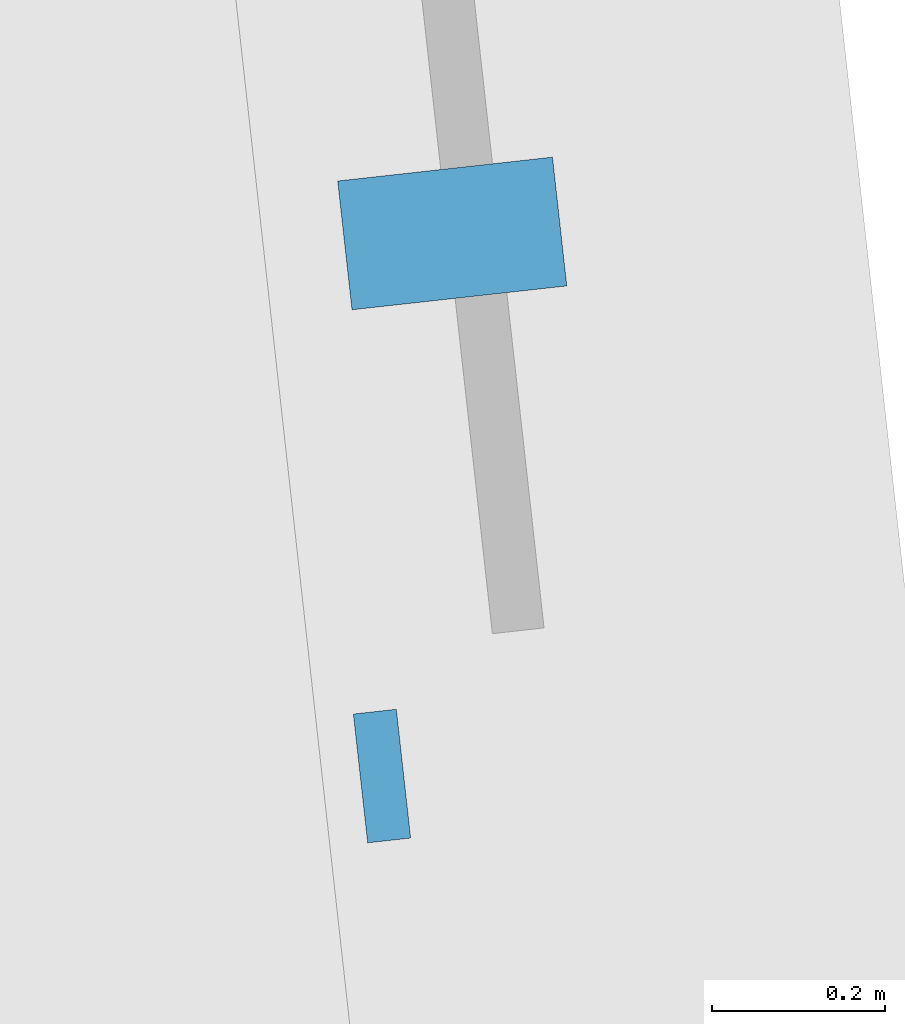
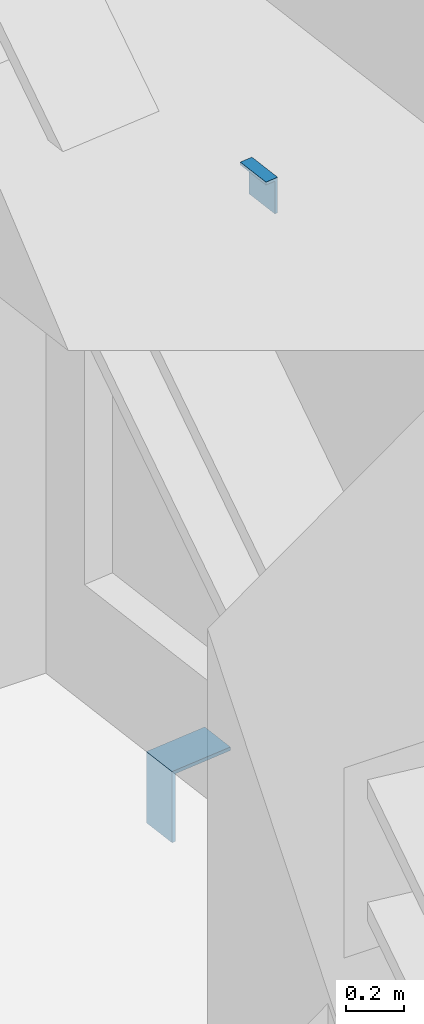
# One storey, part 13 of 16: 2 discrete accessories.
"""IFC4 building model written with IfcOpenShell, lengths in metres."""

from ifc_helpers import new_model, si_unit, direction, frame, origin, place, context, subcontext, project, spatial, polyline, outline, extrude, source, transform, mapped, material, layer, layer_set, type_object, element, save


model = new_model("IFC4")

# Units and contexts
model_context = context("Model", 3, precision=1e-05, world=origin(), true_north=direction((0.0, 1.0)))
body_context = subcontext(model_context, "Body", "Model", "MODEL_VIEW")
ifc_project = project(units=[si_unit("LENGTHUNIT", "METRE"), si_unit("AREAUNIT", "SQUARE_METRE"), si_unit("VOLUMEUNIT", "CUBIC_METRE"), si_unit("PLANEANGLEUNIT", "RADIAN"), si_unit("MASSUNIT", "GRAM", prefix="KILO")], contexts=[model_context])

# Site, building, storey
site_placement = place(None, origin())
site = spatial("IfcSite", under=ifc_project, at=site_placement, CompositionType="ELEMENT")
building_placement = place(site_placement, origin())
building = spatial("IfcBuilding", under=site, at=building_placement, Name="Kilele Tower Hotel", CompositionType="ELEMENT")
storey_placement = place(building_placement, frame((0.0, 0.0, 85.699951171875)))
storey = spatial("IfcBuildingStorey", under=building, at=storey_placement, Name="L21", CompositionType="ELEMENT", Elevation=85.699951171875)

# Discrete accessories
ifc_material_1 = material(Name="Hot-dip galvanized steel S355", Category="steel")
ifc_layer_1 = layer(ifc_material_1, 0.014892578125)
ifc_layer_set_1 = layer_set([ifc_layer_1], Name="Hot-dip galvanized steel S355")
discrete_accessory_type_1 = type_object("IfcDiscreteAccessoryType", Name="Facade panel bearing bracket 250x150x15", PredefinedType="BRACKET", material=ifc_layer_set_1)
shared_shape_1 = source(origin(), body_context, "Body", "SweptSolid", [
    extrude(outline(polyline([(0.0, 0.0), (0.25, 0.0), (0.25, -0.014892578125), (0.014892578125, -0.014892578125), (0.014892578125, -0.300048828125), (0.0, -0.300048828125), (0.0, 0.0)])), origin(), (0.0, 0.0, 1.0), 0.14990234375),
])
discrete_accessory_1_placement = place(storey_placement, frame((46.471923828125, 29.96875, 0.0), z_axis=(0.110432, -0.993884, 0.0), x_axis=(0.993884, 0.110432, 0.0)))
element("IfcDiscreteAccessory", 1, at=discrete_accessory_1_placement, inside=storey, type_object=discrete_accessory_type_1, Name="Facade panel bearing bracket L21", PredefinedType="BRACKET", context=body_context, shape_type="MappedRepresentation", body=[
    mapped(shared_shape_1, transform((0.0, 0.0, 0.0))),
])
ifc_material_2 = material(Name="Hot-dip galvanized steel S355", Category="steel")
ifc_layer_2 = layer(ifc_material_2, 0.011962890625)
ifc_layer_set_2 = layer_set([ifc_layer_2], Name="Hot-dip galvanized steel S355")
discrete_accessory_type_2 = type_object("IfcDiscreteAccessoryType", Name="Facade panel restraint bracket 150x50x12", PredefinedType="BRACKET", material=ifc_layer_set_2)
shared_shape_2 = source(origin(), body_context, "Body", "SweptSolid", [
    extrude(outline(polyline([(0.0, 0.0), (0.0, -0.14990234375), (-0.011962890625, -0.14990234375), (-0.011962890625, -0.011962890625), (-0.050048828125, -0.011962890625), (-0.050048828125, 0.0), (0.0, 0.0)])), origin(), (0.0, 0.0, 1.0), 0.14990234375),
])
discrete_accessory_2_placement = place(storey_placement, frame((46.539794921875, 29.357666015625, 2.85009765625), z_axis=(0.110432, -0.993884, 0.0), x_axis=(0.993884, 0.110432, 0.0)))
element("IfcDiscreteAccessory", 2, at=discrete_accessory_2_placement, inside=storey, type_object=discrete_accessory_type_2, Name="Facade panel restraint bracket L21", PredefinedType="BRACKET", context=body_context, shape_type="MappedRepresentation", body=[
    mapped(shared_shape_2, transform((0.0, 0.0, 0.0))),
])

save(model, "model.ifc")
